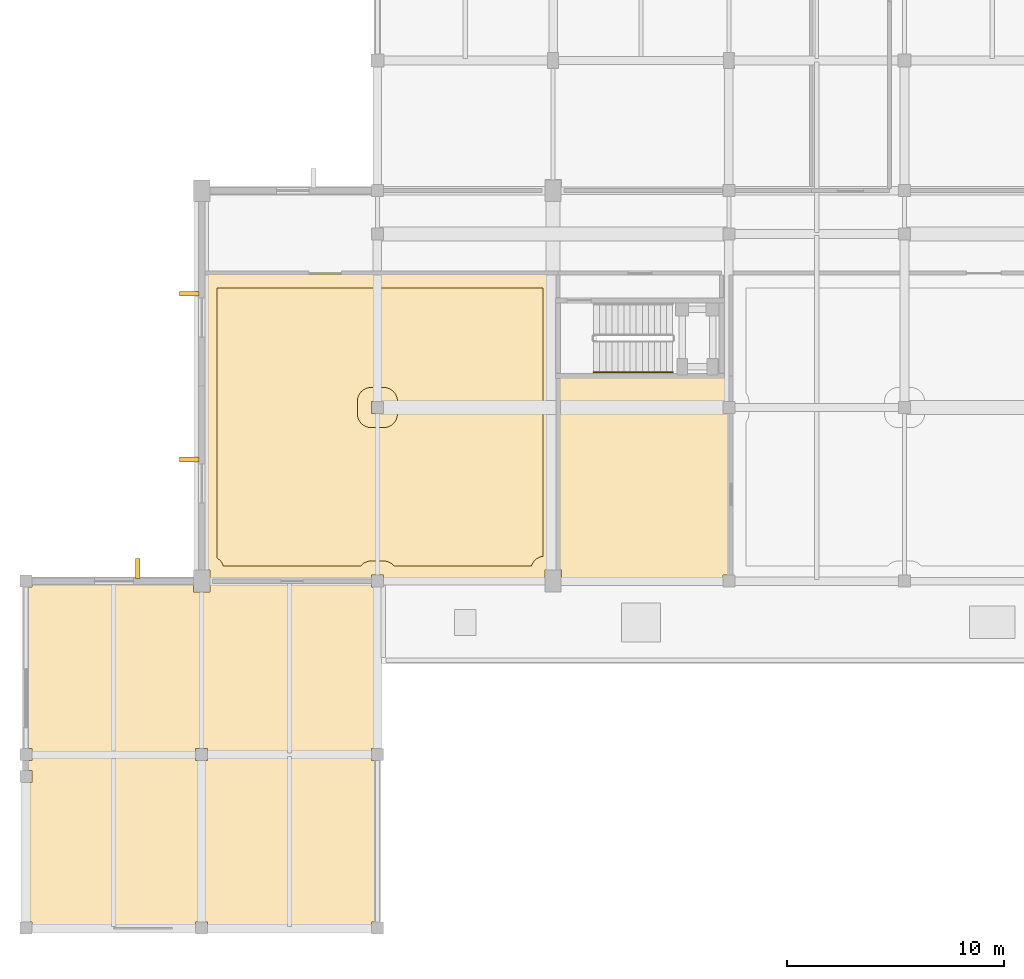
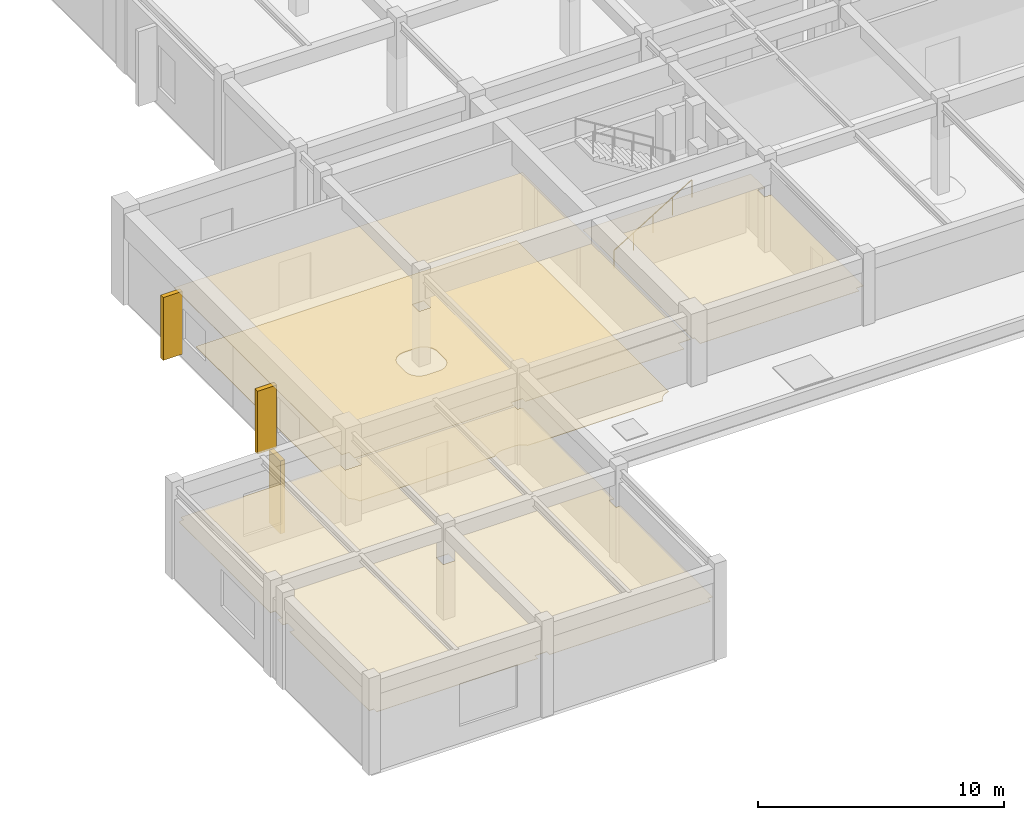
# One storey, part 51 of 61: 4 coverings, 3 shading devices, 1 railing.
"""IFC4 building model written with IfcOpenShell, lengths in metres."""

from ifc_helpers import new_model, si_unit, direction, frame, origin, origin_2d, place, context, subcontext, project, spatial, polyline, rectangle, circle, outline, extrude, material, layer, layer_set, material_profile, profile_set, type_object, element, save


model = new_model("IFC4")

# Units and contexts
model_context = context("Model", 3, precision=1e-05, world=origin(), true_north=direction((0.0, 1.0)))
body_context = subcontext(model_context, "Body", "Model", "MODEL_VIEW")
ifc_project = project(units=[si_unit("LENGTHUNIT", "METRE"), si_unit("AREAUNIT", "SQUARE_METRE"), si_unit("VOLUMEUNIT", "CUBIC_METRE"), si_unit("PLANEANGLEUNIT", "RADIAN"), si_unit("MASSUNIT", "GRAM", prefix="KILO")], contexts=[model_context])

# Site, building, storey
site_placement = place(None, origin())
site = spatial("IfcSite", under=ifc_project, at=site_placement, CompositionType="ELEMENT")
building_placement = place(site_placement, origin())
building = spatial("IfcBuilding", under=site, at=building_placement, Name="Tarnveldt Square Police Headquarters", CompositionType="ELEMENT")
storey_placement = place(building_placement, frame((0.0, 0.0, 5.39990234375)))
storey = spatial("IfcBuildingStorey", under=building, at=storey_placement, Name="L01", CompositionType="ELEMENT", Elevation=5.39990234375)

# Coverings
ifc_material_1 = material(Name="Mineral-fibre acoustic ceiling tile", Category="gypsum")
ifc_layer_1 = layer(ifc_material_1, 0.02001953125)
ifc_layer_set_1 = layer_set([ifc_layer_1], Name="Mineral-fibre acoustic ceiling tile")
covering_type_1 = type_object("IfcCoveringType", Name="COV-CEIL-20", PredefinedType="CEILING", material=ifc_layer_set_1)
covering_1_placement = place(storey_placement, frame((0.0, 0.0, 2.75)))
element("IfcCovering", 1, at=covering_1_placement, inside=storey, type_object=covering_type_1, Name="Press Conference and Media Briefing Room Acoustic Ceiling", PredefinedType="CEILING", context=body_context, shape_type="SweptSolid", body=[
    extrude(outline(polyline([(8.14990234375, 30.14990234375), (24.47998046875, 30.14990234375), (24.47998046875, 16.501953125), (23.923095703125, 16.501953125), (23.923095703125, 16.050048828125), (16.47705078125, 16.050048828125), (16.47705078125, 16.277099609375), (15.923095703125, 16.277099609375), (15.923095703125, 16.050048828125), (8.47705078125, 16.050048828125), (8.47705078125, 16.501953125), (8.14990234375, 16.501953125), (8.14990234375, 30.14990234375)]), holes=[polyline([(16.47705078125, 24.277099609375), (15.923095703125, 24.277099609375), (15.923095703125, 23.722900390625), (16.47705078125, 23.722900390625), (16.47705078125, 24.277099609375)])]), origin(), (0.0, 0.0, 1.0), 0.02001953125),
])
covering_2_placement = place(storey_placement, frame((0.0, 0.0, 2.75)))
element("IfcCovering", 2, at=covering_2_placement, inside=storey, type_object=covering_type_1, Name="Broadcast Audio-Visual Control Room Acoustic Ceiling", PredefinedType="CEILING", context=body_context, shape_type="SweptSolid", body=[
    extrude(outline(polyline([(32.449951171875, 16.277099609375), (32.123046875, 16.277099609375), (32.123046875, 16.050048828125), (24.677001953125, 16.050048828125), (24.677001953125, 16.501953125), (24.580078125, 16.501953125), (24.580078125, 25.409912109375), (32.449951171875, 25.409912109375), (32.449951171875, 24.277099609375), (32.123046875, 24.277099609375), (32.123046875, 23.722900390625), (32.449951171875, 23.722900390625), (32.449951171875, 16.277099609375)])), origin(), (0.0, 0.0, 1.0), 0.02001953125),
])
covering_3_placement = place(storey_placement, frame((0.0, 0.0, 2.75)))
element("IfcCovering", 3, at=covering_3_placement, inside=storey, type_object=covering_type_1, Name="Youth Outreach Workshop Studio Acoustic Ceiling", PredefinedType="CEILING", context=body_context, shape_type="SweptSolid", body=[
    extrude(outline(polyline([(16.14990234375, 0.277099609375), (15.923095703125, 0.277099609375), (15.923095703125, 0.050048828125), (8.376953125, 0.050048828125), (8.376953125, 0.277099609375), (7.822998046875, 0.277099609375), (7.822998046875, 0.050048828125), (0.277099609375, 0.050048828125), (0.277099609375, 0.277099609375), (0.050048828125, 0.277099609375), (0.050048828125, 6.722900390625), (0.277099609375, 6.722900390625), (0.277099609375, 7.277099609375), (0.050048828125, 7.277099609375), (0.050048828125, 7.722900390625), (0.277099609375, 7.722900390625), (0.277099609375, 8.277099609375), (0.050048828125, 8.277099609375), (0.050048828125, 15.722900390625), (0.277099609375, 15.722900390625), (0.277099609375, 15.949951171875), (7.722900390625, 15.949951171875), (7.722900390625, 15.498046875), (8.47705078125, 15.498046875), (8.47705078125, 15.949951171875), (15.923095703125, 15.949951171875), (15.923095703125, 15.722900390625), (16.14990234375, 15.722900390625), (16.14990234375, 8.277099609375), (15.923095703125, 8.277099609375), (15.923095703125, 7.722900390625), (16.14990234375, 7.722900390625), (16.14990234375, 0.277099609375)]), holes=[polyline([(8.376953125, 8.277099609375), (7.822998046875, 8.277099609375), (7.822998046875, 7.722900390625), (8.376953125, 7.722900390625), (8.376953125, 8.277099609375)])]), origin(), (0.0, 0.0, 1.0), 0.02001953125),
])
ifc_material_2 = material(Name="Polished cementitious terrazzo flooring", Category="concrete")
ifc_layer_2 = layer(ifc_material_2, 0.02490234375)
ifc_layer_set_2 = layer_set([ifc_layer_2], Name="Polished cementitious terrazzo flooring")
covering_type_2 = type_object("IfcCoveringType", Name="COV-FLR-25", PredefinedType="FLOORING", material=ifc_layer_set_2)
covering_4_placement = place(storey_placement, origin())
element("IfcCovering", 4, at=covering_4_placement, inside=storey, type_object=covering_type_2, Name="Press Conference and Media Briefing Room Terrazzo Finish Flooring", PredefinedType="FLOORING", context=body_context, shape_type="SweptSolid", body=[
    extrude(outline(polyline([(8.800048828125, 17.065185546875), (8.800048828125, 29.5), (23.830078125, 29.5), (23.830078125, 17.14453125), (23.796142578125, 17.139404296875), (23.734375, 17.1240234375), (23.67431640625, 17.1025390625), (23.61669921875, 17.0751953125), (23.561767578125, 17.04248046875), (23.5107421875, 17.00439453125), (23.46337890625, 16.961669921875), (23.420654296875, 16.914306640625), (23.382568359375, 16.863037109375), (23.349853515625, 16.808349609375), (23.322509765625, 16.750732421875), (23.304443359375, 16.699951171875), (16.9697265625, 16.699951171875), (16.9365234375, 16.736572265625), (16.889404296875, 16.779541015625), (16.838134765625, 16.8173828125), (16.783447265625, 16.850341796875), (16.725830078125, 16.87744140625), (16.665771484375, 16.89892578125), (16.603759765625, 16.91455078125), (16.540771484375, 16.923828125), (16.47705078125, 16.927001953125), (15.923095703125, 16.927001953125), (15.859375, 16.923828125), (15.796142578125, 16.91455078125), (15.734375, 16.89892578125), (15.67431640625, 16.87744140625), (15.61669921875, 16.850341796875), (15.561767578125, 16.8173828125), (15.5107421875, 16.779541015625), (15.46337890625, 16.736572265625), (15.43017578125, 16.699951171875), (9.095703125, 16.699951171875), (9.07763671875, 16.750732421875), (9.05029296875, 16.808349609375), (9.017333984375, 16.863037109375), (8.9794921875, 16.914306640625), (8.9365234375, 16.961669921875), (8.889404296875, 17.00439453125), (8.838134765625, 17.04248046875), (8.800048828125, 17.065185546875)]), holes=[polyline([(17.126953125, 24.277099609375), (17.123779296875, 24.3408203125), (17.114501953125, 24.40380859375), (17.09912109375, 24.465576171875), (17.07763671875, 24.525634765625), (17.05029296875, 24.58349609375), (17.017333984375, 24.63818359375), (16.9794921875, 24.689453125), (16.9365234375, 24.736572265625), (16.889404296875, 24.779541015625), (16.838134765625, 24.8173828125), (16.783447265625, 24.850341796875), (16.725830078125, 24.87744140625), (16.665771484375, 24.89892578125), (16.603759765625, 24.91455078125), (16.540771484375, 24.923828125), (16.47705078125, 24.927001953125), (15.923095703125, 24.927001953125), (15.859375, 24.923828125), (15.796142578125, 24.91455078125), (15.734375, 24.89892578125), (15.67431640625, 24.87744140625), (15.61669921875, 24.850341796875), (15.561767578125, 24.8173828125), (15.5107421875, 24.779541015625), (15.46337890625, 24.736572265625), (15.420654296875, 24.689453125), (15.382568359375, 24.63818359375), (15.349853515625, 24.58349609375), (15.322509765625, 24.525634765625), (15.301025390625, 24.465576171875), (15.285400390625, 24.40380859375), (15.276123046875, 24.3408203125), (15.27294921875, 24.277099609375), (15.27294921875, 23.722900390625), (15.276123046875, 23.6591796875), (15.285400390625, 23.59619140625), (15.301025390625, 23.534423828125), (15.322509765625, 23.474365234375), (15.349853515625, 23.41650390625), (15.382568359375, 23.36181640625), (15.420654296875, 23.310546875), (15.46337890625, 23.263427734375), (15.5107421875, 23.220458984375), (15.561767578125, 23.1826171875), (15.61669921875, 23.149658203125), (15.67431640625, 23.12255859375), (15.734375, 23.10107421875), (15.796142578125, 23.08544921875), (15.859375, 23.076171875), (15.923095703125, 23.072998046875), (16.47705078125, 23.072998046875), (16.540771484375, 23.076171875), (16.603759765625, 23.08544921875), (16.665771484375, 23.10107421875), (16.725830078125, 23.12255859375), (16.783447265625, 23.149658203125), (16.838134765625, 23.1826171875), (16.889404296875, 23.220458984375), (16.9365234375, 23.263427734375), (16.9794921875, 23.310546875), (17.017333984375, 23.36181640625), (17.05029296875, 23.41650390625), (17.07763671875, 23.474365234375), (17.09912109375, 23.534423828125), (17.114501953125, 23.59619140625), (17.123779296875, 23.6591796875), (17.126953125, 23.722900390625), (17.126953125, 24.277099609375)])]), origin(), (0.0, 0.0, 1.0), 0.025146484375),
])

# Railing
ifc_material_3 = material(Name="Steel 350W", Category="steel")
railing_type = type_object("IfcRailingType", Name="RL-HR-900", PredefinedType="HANDRAIL", material=ifc_material_3)
railing_placement = place(storey_placement, frame((26.169921875, 25.6298828125, 0.171630859375)))
element("IfcRailing", 5, at=railing_placement, inside=storey, type_object=railing_type, Name="L01 ST6 stair handrail 1", PredefinedType="HANDRAIL", context=body_context, shape_type="SweptSolid", body=[
    extrude(circle(Radius=0.02392578125, at=origin_2d()), frame((0.0, 0.0, 0.8759765625), z_axis=(0.852865859571, 0.0, 0.52213008492), x_axis=(0.0, 1.0, 0.0)), (0.0, 0.0, 1.0), 4.26806640625),
    extrude(circle(Radius=0.02099609375, at=origin_2d()), origin(), (0.0, 0.0, 1.0), 0.851806640625),
    extrude(circle(Radius=0.02099609375, at=origin_2d()), frame((0.91015625, 0.0, 0.55712890625)), (0.0, 0.0, 1.0), 0.851806640625),
    extrude(circle(Radius=0.02099609375, at=origin_2d()), frame((1.820068359375, 0.0, 1.1142578125)), (0.0, 0.0, 1.0), 0.851806640625),
    extrude(circle(Radius=0.02099609375, at=origin_2d()), frame((2.72998046875, 0.0, 1.67138671875)), (0.0, 0.0, 1.0), 0.851806640625),
    extrude(circle(Radius=0.02099609375, at=origin_2d()), frame((3.64013671875, 0.0, 2.228515625)), (0.0, 0.0, 1.0), 0.851806640625),
])

# Shading devices
ifc_material_4 = material(Name="Precast concrete 35 MPa", Category="concrete")
ifc_material_profile = material_profile(ifc_material_4, rectangle(XDim=0.219970703125, YDim=0.89990234375, at=origin_2d()), Name="PC-FIN220x900")
ifc_profile_set = profile_set([ifc_material_profile], Name="Precast concrete 35 MPa")
shading_device_type = type_object("IfcShadingDeviceType", Name="SHD-FIN-900", PredefinedType="USERDEFINED", material=ifc_profile_set)
for number, where, z_axis, x_axis, name in (
    (6, (7.52001953125, 29.25, 0.150146484375), (0.0, 0.0, 1.0), (0.0, -1.0, 0.0), "L01 Precast Deep-Reveal Brutalist Fin 015"),
    (7, (7.52001953125, 21.60009765625, 0.150146484375), (0.0, 0.0, 1.0), (0.0, -1.0, 0.0), "L01 Precast Deep-Reveal Brutalist Fin 016"),
):
    element("IfcShadingDevice", number, at=place(storey_placement, frame(where, z_axis=z_axis, x_axis=x_axis)), inside=storey, type_object=shading_device_type, Name=name, ObjectType="SOLAR SHADING FIN", PredefinedType="USERDEFINED", context=body_context, shape_type="SweptSolid", body=[
        extrude(rectangle(XDim=0.219970703125, YDim=0.89990234375, at=origin_2d()), origin(), (0.0, 0.0, 1.0), 3.112060546875),
    ])
shading_device_placement = place(storey_placement, frame((5.14990234375, 16.580078125, 0.150146484375), z_axis=(0.0, 0.0, 1.0), x_axis=(-1.0, 0.0, 0.0)))
element("IfcShadingDevice", 8, at=shading_device_placement, inside=storey, type_object=shading_device_type, Name="L01 Precast Deep-Reveal Brutalist Fin 017", ObjectType="SOLAR SHADING FIN", PredefinedType="USERDEFINED", context=body_context, shape_type="SweptSolid", body=[
    extrude(rectangle(XDim=0.219970703125, YDim=0.89990234375, at=origin_2d()), origin(), (0.0, 0.0, 1.0), 3.612060546875),
])

save(model, "model.ifc")
